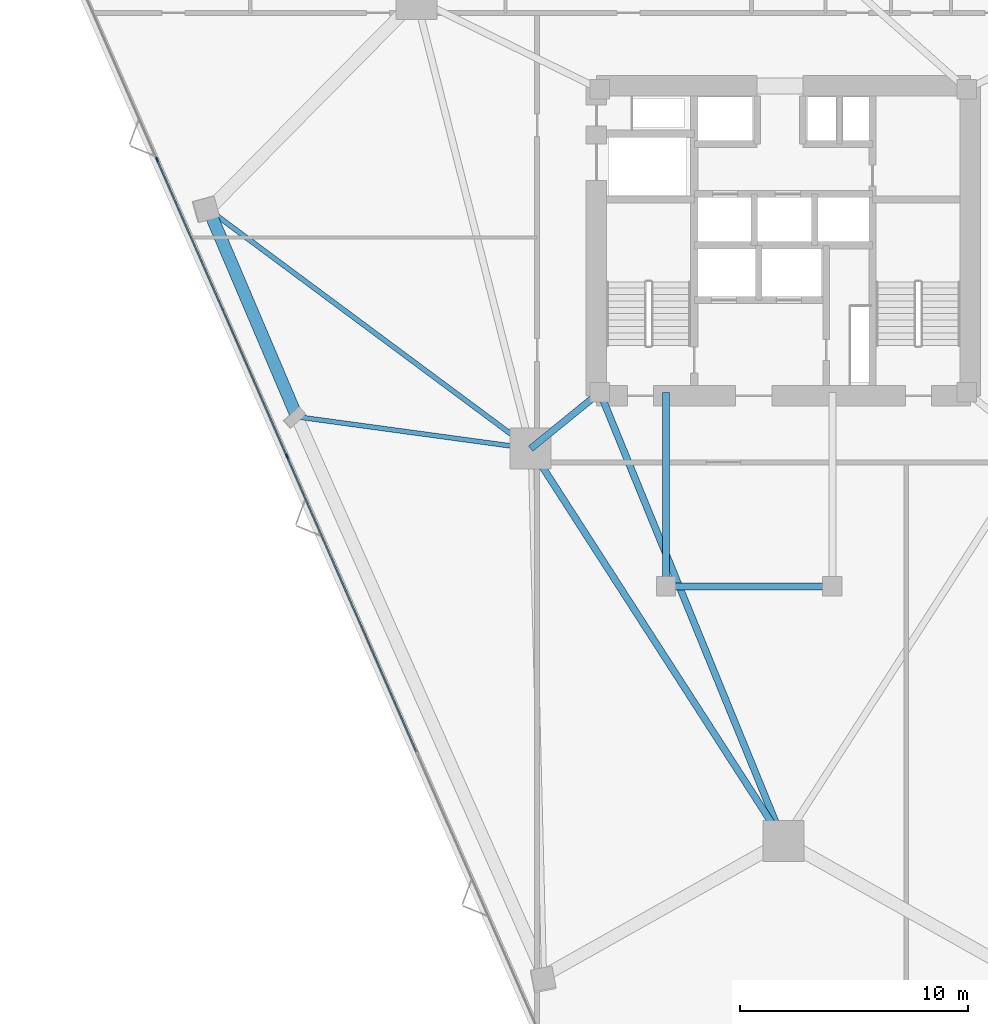
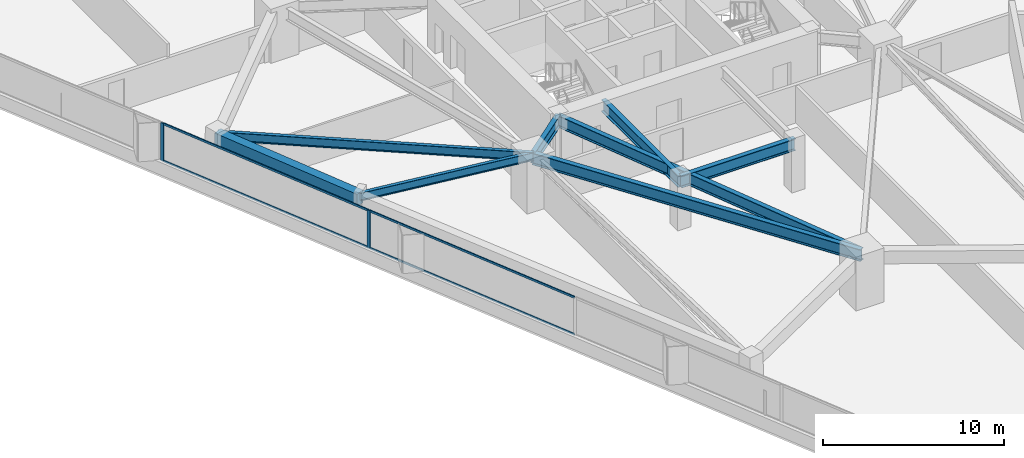
# One storey, part 4 of 14: 8 beams, 6 members, 1 element without a shape of its own.
"""IFC4 building model written with IfcOpenShell, lengths in metres."""

from ifc_helpers import new_model, si_unit, direction, frame, origin, origin_2d, place, context, subcontext, project, spatial, rectangle, i_section, extrude, material, layer, layer_set, material_profile, profile_set, type_object, element, aggregate, save


model = new_model("IFC4")

# Units and contexts
model_context = context("Model", 3, precision=1e-05, world=origin(), true_north=direction((0.0, 1.0)))
body_context = subcontext(model_context, "Body", "Model", "MODEL_VIEW")
ifc_project = project(units=[si_unit("LENGTHUNIT", "METRE"), si_unit("AREAUNIT", "SQUARE_METRE"), si_unit("VOLUMEUNIT", "CUBIC_METRE"), si_unit("PLANEANGLEUNIT", "RADIAN"), si_unit("MASSUNIT", "GRAM", prefix="KILO")], contexts=[model_context])

# Site, building, storey
site_placement = place(None, origin())
site = spatial("IfcSite", under=ifc_project, at=site_placement, CompositionType="ELEMENT")
building_placement = place(site_placement, origin())
building = spatial("IfcBuilding", under=site, at=building_placement, Name="Talyreon Biosciences Tower", CompositionType="ELEMENT")
storey_placement = place(building_placement, frame((0.0, 0.0, 48.35009765625)))
storey = spatial("IfcBuildingStorey", under=building, at=storey_placement, Name="L12", CompositionType="ELEMENT", Elevation=48.35009765625)

# Curtain wall, members
ifc_material_1 = material(Name="Thermally broken aluminium and low-E glazing", Category="aluminium")
ifc_layer = layer(ifc_material_1, 0.205078125)
ifc_layer_set = layer_set([ifc_layer], Name="Thermally broken aluminium and low-E glazing")
curtain_wall_type = type_object("IfcCurtainWallType", Name="CurtainWall_SkyGardenLoggia", PredefinedType="NOTDEFINED", material=ifc_layer_set)
curtain_wall_placement = place(storey_placement, origin())
curtain_wall = element("IfcCurtainWall", 1, at=curtain_wall_placement, inside=storey, type_object=curtain_wall_type, Name="L12 Unitised Curtain Wall FCW-L12-15", PredefinedType="NOTDEFINED")
ifc_material_2 = material(Name="Anodised thermally broken aluminium", Category="aluminium")
ifc_material_profile_1 = material_profile(ifc_material_2, rectangle(XDim=0.074951171875, YDim=0.2099609375, at=origin_2d()), Name="ALUM MULLION 75x210")
ifc_profile_set_1 = profile_set([ifc_material_profile_1], Name="Anodised thermally broken aluminium")
member_type_1 = type_object("IfcMemberType", Name="CWMullion_75x210", PredefinedType="MULLION", material=ifc_profile_set_1)
member_1_placement = place(storey_placement, frame((44.221435546875, 58.549072265625, 0.809814453125), z_axis=(0.0, 0.0, 1.0), x_axis=(-0.916035471245, -0.40109726429, 0.0)))
member_1 = element("IfcMember", 2, at=member_1_placement, type_object=member_type_1, Name="CW7 mullion 4", PredefinedType="MULLION", context=body_context, shape_type="SweptSolid", body=[
    extrude(rectangle(XDim=0.074951171875, YDim=0.2099609375, at=origin_2d()), origin(), (0.0, 0.0, 1.0), 2.565185546875),
])
member_2_placement = place(storey_placement, frame((38.525390625, 71.55810546875, 0.809814453125), z_axis=(0.0, 0.0, 1.0), x_axis=(-0.916035471245, -0.40109726429, 0.0)))
member_2 = element("IfcMember", 3, at=member_2_placement, type_object=member_type_1, Name="CW7 mullion 5", PredefinedType="MULLION", context=body_context, shape_type="SweptSolid", body=[
    extrude(rectangle(XDim=0.074951171875, YDim=0.2099609375, at=origin_2d()), origin(), (0.0, 0.0, 1.0), 2.565185546875),
])
ifc_material_profile_2 = material_profile(ifc_material_2, rectangle(XDim=0.06494140625, YDim=0.139892578125, at=origin_2d()), Name="ALUM TRANSOM 65x140")
ifc_profile_set_2 = profile_set([ifc_material_profile_2], Name="Anodised thermally broken aluminium")
member_type_2 = type_object("IfcMemberType", Name="CWTransom_65x140", PredefinedType="USERDEFINED", material=ifc_profile_set_2)
member_3_placement = place(storey_placement, frame((49.902587890625, 45.574462890625, 0.84228515625), z_axis=(-0.401090802253, 0.916038300699, 0.0), x_axis=(-0.916038300699, -0.401090802253, 0.0)))
member_3 = element("IfcMember", 4, at=member_3_placement, type_object=member_type_2, Name="CW7 transom 3.1", ObjectType="TRANSOM", PredefinedType="USERDEFINED", context=body_context, shape_type="SweptSolid", body=[
    extrude(rectangle(XDim=0.06494140625, YDim=0.139892578125, at=origin_2d()), origin(), (0.0, 0.0, 1.0), 14.12646484375),
])
member_4_placement = place(storey_placement, frame((49.902587890625, 45.574462890625, 3.34228515625), z_axis=(-0.401090802253, 0.916038300699, 0.0), x_axis=(-0.916038300699, -0.401090802253, 0.0)))
member_4 = element("IfcMember", 5, at=member_4_placement, type_object=member_type_2, Name="CW7 transom 3.2", ObjectType="TRANSOM", PredefinedType="USERDEFINED", context=body_context, shape_type="SweptSolid", body=[
    extrude(rectangle(XDim=0.06494140625, YDim=0.139892578125, at=origin_2d()), origin(), (0.0, 0.0, 1.0), 14.12646484375),
])
member_5_placement = place(storey_placement, frame((44.20654296875, 58.58349609375, 0.84228515625), z_axis=(-0.401111654299, 0.91602917027, 0.0), x_axis=(-0.91602917027, -0.401111654299, 0.0)))
member_5 = element("IfcMember", 6, at=member_5_placement, type_object=member_type_2, Name="CW7 transom 4.1", ObjectType="TRANSOM", PredefinedType="USERDEFINED", context=body_context, shape_type="SweptSolid", body=[
    extrude(rectangle(XDim=0.06494140625, YDim=0.139892578125, at=origin_2d()), origin(), (0.0, 0.0, 1.0), 14.12646484375),
])
member_6_placement = place(storey_placement, frame((44.20654296875, 58.58349609375, 3.34228515625), z_axis=(-0.401111654299, 0.91602917027, 0.0), x_axis=(-0.91602917027, -0.401111654299, 0.0)))
member_6 = element("IfcMember", 7, at=member_6_placement, type_object=member_type_2, Name="CW7 transom 4.2", ObjectType="TRANSOM", PredefinedType="USERDEFINED", context=body_context, shape_type="SweptSolid", body=[
    extrude(rectangle(XDim=0.06494140625, YDim=0.139892578125, at=origin_2d()), origin(), (0.0, 0.0, 1.0), 14.12646484375),
])
aggregate(curtain_wall, [member_1, member_2, member_3, member_4, member_5, member_6])

# Beams
ifc_material_3 = material(Name="Precast concrete C45/55", Category="concrete")
ifc_material_profile_3 = material_profile(ifc_material_3, rectangle(XDim=0.550048828125, YDim=0.85009765625, at=origin_2d()), Name="RCB 550x850")
ifc_profile_set_3 = profile_set([ifc_material_profile_3], Name="Precast concrete C45/55")
beam_type_1 = type_object("IfcBeamType", Name="ExpressedSpandrel_550x850", PredefinedType="SPANDREL", material=ifc_profile_set_3)
beam_1_placement = place(storey_placement, frame((40.787841796875, 69.364501953125, 2.949951171875), z_axis=(0.391749308353, -0.920071996859, 0.0), x_axis=(0.920071996859, 0.391749308353, 0.0)))
element("IfcBeam", 8, at=beam_1_placement, inside=storey, type_object=beam_type_1, Name="L12 Expressed Horizontal Concrete Spandrel 10", PredefinedType="SPANDREL", context=body_context, shape_type="SweptSolid", body=[
    extrude(rectangle(XDim=0.550048828125, YDim=0.85009765625, at=origin_2d()), origin(), (0.0, 0.0, 1.0), 9.87646484375),
])
ifc_material_4 = material(Name="Steel SM355", Category="steel")
ifc_material_profile_4 = material_profile(ifc_material_4, i_section(OverallWidth=0.300048828125, OverallDepth=0.800048828125, WebThickness=0.017578125, FlangeThickness=0.032958984375, FilletRadius=0.030029296875, at=origin_2d()), Name="HE800B")
ifc_profile_set_4 = profile_set([ifc_material_profile_4], Name="Steel SM355")
beam_type_2 = type_object("IfcBeamType", Name="SteelGirder_HE800B", PredefinedType="BEAM", material=ifc_profile_set_4)
beam_2_placement = place(storey_placement, frame((54.913818359375, 58.88037109375, 2.974853515625), z_axis=(0.541463723609, -0.840724114092, 0.0), x_axis=(0.840724114092, 0.541463723609, 0.0)))
element("IfcBeam", 9, at=beam_2_placement, inside=storey, type_object=beam_type_2, Name="L12 Mega-Ring Girder 6", PredefinedType="BEAM", context=body_context, shape_type="SweptSolid", body=[
    extrude(i_section(OverallWidth=0.300048828125, OverallDepth=0.800048828125, WebThickness=0.017578125, FlangeThickness=0.032958984375, FilletRadius=0.030029296875, at=origin_2d()), origin(), (0.0, 0.0, 1.0), 20.474365234375),
])
beam_3_placement = place(storey_placement, frame((57.949951171875, 61.35009765625, 2.974853515625), z_axis=(0.378547014545, -0.925582064314, 0.0), x_axis=(0.925582064314, 0.378547014545, 0.0)))
element("IfcBeam", 10, at=beam_3_placement, inside=storey, type_object=beam_type_2, Name="L12 Radial Primary Girder 1", PredefinedType="BEAM", context=body_context, shape_type="SweptSolid", body=[
    extrude(i_section(OverallWidth=0.300048828125, OverallDepth=0.800048828125, WebThickness=0.017578125, FlangeThickness=0.032958984375, FilletRadius=0.030029296875, at=origin_2d()), origin(), (0.0, 0.0, 1.0), 21.265625),
])
beam_4_placement = place(storey_placement, frame((57.949951171875, 61.35009765625, 2.974853515625), z_axis=(-0.775755154013, -0.631034025249, 0.0), x_axis=(0.631034025249, -0.775755154013, 0.0)))
element("IfcBeam", 11, at=beam_4_placement, inside=storey, type_object=beam_type_2, Name="L12 Radial Primary Girder 6", PredefinedType="BEAM", context=body_context, shape_type="SweptSolid", body=[
    extrude(i_section(OverallWidth=0.300048828125, OverallDepth=0.800048828125, WebThickness=0.017578125, FlangeThickness=0.032958984375, FilletRadius=0.030029296875, at=origin_2d()), origin(), (0.0, 0.0, 1.0), 3.913818359375),
])
beam_5_placement = place(storey_placement, frame((60.85009765625, 52.840087890625, 2.974853515625), z_axis=(1.0, 0.0, 0.0), x_axis=(0.0, 1.0, 0.0)))
element("IfcBeam", 12, at=beam_5_placement, inside=storey, type_object=beam_type_2, Name="L12 Crown Shaft Spine Girder S", PredefinedType="BEAM", context=body_context, shape_type="SweptSolid", body=[
    extrude(i_section(OverallWidth=0.300048828125, OverallDepth=0.800048828125, WebThickness=0.017578125, FlangeThickness=0.032958984375, FilletRadius=0.030029296875, at=origin_2d()), origin(), (0.0, 0.0, 1.0), 7.2998046875),
])
beam_6_placement = place(storey_placement, frame((60.85009765625, 52.840087890625, 2.974853515625), z_axis=(0.0, 1.0, 0.0), x_axis=(-1.0, 0.0, 0.0)))
element("IfcBeam", 13, at=beam_6_placement, inside=storey, type_object=beam_type_2, Name="L12 Crown Shaft Tie Girder W", PredefinedType="BEAM", context=body_context, shape_type="SweptSolid", body=[
    extrude(i_section(OverallWidth=0.300048828125, OverallDepth=0.800048828125, WebThickness=0.017578125, FlangeThickness=0.032958984375, FilletRadius=0.030029296875, at=origin_2d()), origin(), (0.0, 0.0, 1.0), 8.510009765625),
])
ifc_material_profile_5 = material_profile(ifc_material_4, i_section(OverallWidth=0.2099609375, OverallDepth=0.550048828125, WebThickness=0.010986328125, FlangeThickness=0.01708984375, FilletRadius=0.02392578125, at=origin_2d()), Name="IPE550")
ifc_profile_set_5 = profile_set([ifc_material_profile_5], Name="Steel SM355")
beam_type_3 = type_object("IfcBeamType", Name="SteelJoist_IPE550", PredefinedType="JOIST", material=ifc_profile_set_5)
beam_7_placement = place(storey_placement, frame((54.913818359375, 58.88037109375, 3.099853515625), z_axis=(-0.990851970036, 0.134953226996, 0.0), x_axis=(-0.134953226996, -0.990851970036, 0.0)))
element("IfcBeam", 14, at=beam_7_placement, inside=storey, type_object=beam_type_3, Name="L12 Radial Composite Floor Joist PL-SW", PredefinedType="JOIST", context=body_context, shape_type="SweptSolid", body=[
    extrude(i_section(OverallWidth=0.2099609375, OverallDepth=0.550048828125, WebThickness=0.010986328125, FlangeThickness=0.01708984375, FilletRadius=0.02392578125, at=origin_2d()), origin(), (0.0, 0.0, 1.0), 10.3515625),
])
ifc_material_profile_6 = material_profile(ifc_material_4, i_section(OverallWidth=0.219970703125, OverallDepth=0.60009765625, WebThickness=0.011962890625, FlangeThickness=0.01904296875, FilletRadius=0.02392578125, at=origin_2d()), Name="IPE600")
ifc_profile_set_6 = profile_set([ifc_material_profile_6], Name="Steel SM355")
beam_type_4 = type_object("IfcBeamType", Name="SteelJoist_IPE600", PredefinedType="JOIST", material=ifc_profile_set_6)
beam_8_placement = place(storey_placement, frame((54.913818359375, 58.88037109375, 3.074951171875), z_axis=(-0.803000971633, 0.595977717332, 0.0), x_axis=(-0.595977717332, -0.803000971633, 0.0)))
element("IfcBeam", 15, at=beam_8_placement, inside=storey, type_object=beam_type_4, Name="L12 Radial Composite Floor Joist PC-SW1", PredefinedType="JOIST", context=body_context, shape_type="SweptSolid", body=[
    extrude(i_section(OverallWidth=0.219970703125, OverallDepth=0.60009765625, WebThickness=0.011962890625, FlangeThickness=0.01904296875, FilletRadius=0.02392578125, at=origin_2d()), origin(), (0.0, 0.0, 1.0), 17.591552734375),
])

save(model, "model.ifc")
